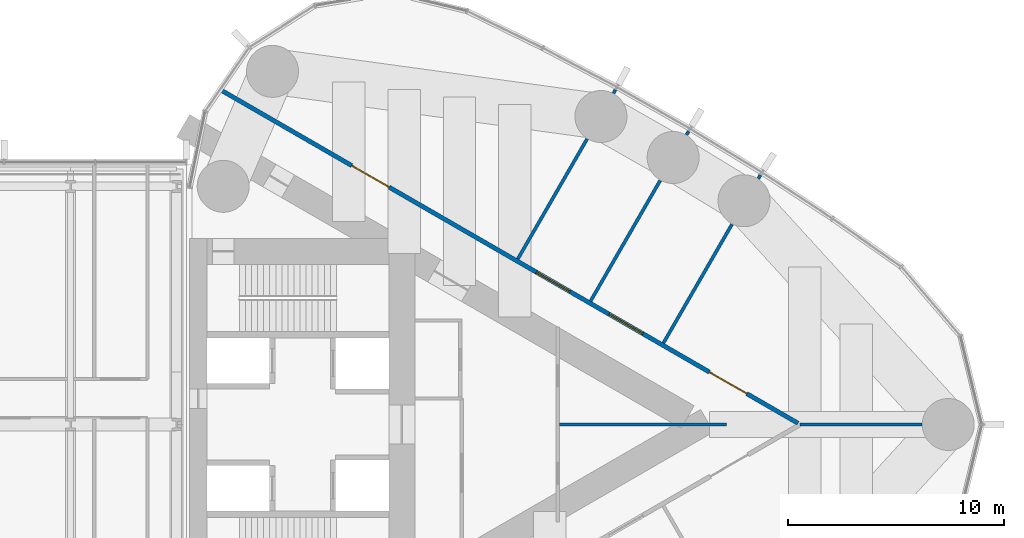
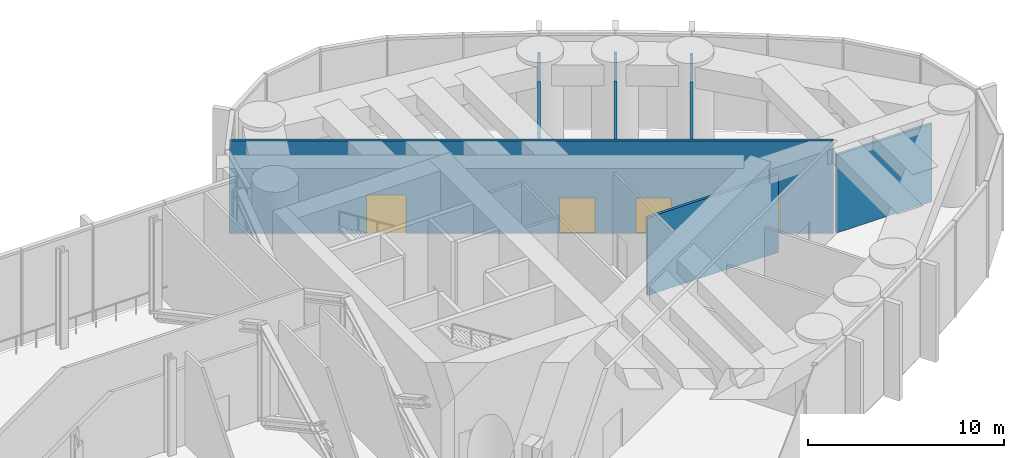
# One storey, part 19 of 21: 9 walls, 4 doors, 4 openings.
"""IFC4 building model written with IfcOpenShell, lengths in metres."""

from ifc_helpers import new_model, si_unit, direction, frame, frame_2d, origin, place, context, subcontext, project, spatial, rectangle, extrude, material, layer, layer_set, type_object, element, fill, save


model = new_model("IFC4")

# Units and contexts
model_context = context("Model", 3, precision=1e-05, world=origin(), true_north=direction((0.0, 1.0)))
body_context = subcontext(model_context, "Body", "Model", "MODEL_VIEW")
ifc_project = project(units=[si_unit("LENGTHUNIT", "METRE"), si_unit("AREAUNIT", "SQUARE_METRE"), si_unit("VOLUMEUNIT", "CUBIC_METRE"), si_unit("PLANEANGLEUNIT", "RADIAN"), si_unit("MASSUNIT", "GRAM", prefix="KILO")], contexts=[model_context])

# Site, building, storey
site_placement = place(None, origin())
site = spatial("IfcSite", under=ifc_project, at=site_placement, CompositionType="ELEMENT")
building_placement = place(site_placement, origin())
building = spatial("IfcBuilding", under=site, at=building_placement, Name="Lancet Gate Hotel", CompositionType="ELEMENT")
storey_placement = place(building_placement, frame((0.0, 0.0, 257.300048828125)))
storey = spatial("IfcBuildingStorey", under=building, at=storey_placement, Name="L68", CompositionType="ELEMENT", Elevation=257.300048828125)

# Wall, openings, doors
ifc_material_1 = material(Name="Gypsum board partition")
ifc_layer_1 = layer(ifc_material_1, 0.199951171875)
ifc_layer_set_1 = layer_set([ifc_layer_1], Name="Corridor wall 200")
wall_type_1 = type_object("IfcWallType", Name="Corridor wall 200", PredefinedType="PARTITIONING", material=ifc_layer_set_1)
wall_1_placement = place(storey_placement, frame((28.90673828125, 15.470458984375, 0.0), z_axis=(0.0, 0.0, 1.0), x_axis=(0.866025841386, -0.499999242051, 0.0)))
wall_1 = element("IfcWall", 1, at=wall_1_placement, inside=storey, type_object=wall_type_1, Name="T2 corridor wall 200 L68", PredefinedType="PARTITIONING", context=body_context, shape_type="SweptSolid", body=[
    extrude(rectangle(XDim=30.82080078125, YDim=0.199951171875, at=frame_2d((15.410400390625, 0.0))), origin(), (0.0, 0.0, 1.0), 5.75),
])
opening_1_placement = place(wall_1_placement, frame((26.09228515625, 0.0, 0.0)))
opening_1 = element("IfcOpeningElement", 2, at=opening_1_placement, cuts=wall_1, Name="Opening T2-L68-DO05", PredefinedType="OPENING", context=body_context, shape_type="SweptSolid", body=[
    extrude(rectangle(XDim=2.0, YDim=2.39990234375, at=frame_2d((1.0, 1.199951171875))), frame((0.0, 0.10986328125, 0.0), z_axis=(0.0, -1.0, 0.0), x_axis=(1.0, 0.0, 0.0)), (0.0, 0.0, 1.0), 0.219970703125),
])
opening_2_placement = place(wall_1_placement, frame((20.74755859375, 0.0, 0.0)))
opening_2 = element("IfcOpeningElement", 3, at=opening_2_placement, cuts=wall_1, Name="Opening T2-L68-DO06", PredefinedType="OPENING", context=body_context, shape_type="SweptSolid", body=[
    extrude(rectangle(XDim=1.800048828125, YDim=2.199951171875, at=frame_2d((0.89990234375, 1.10009765625))), frame((0.0, 0.10986328125, 0.0), z_axis=(0.0, -1.0, 0.0), x_axis=(1.0, 0.0, 0.0)), (0.0, 0.0, 1.0), 0.219970703125),
])
opening_3_placement = place(wall_1_placement, frame((16.864501953125, 0.0, 0.0)))
opening_3 = element("IfcOpeningElement", 4, at=opening_3_placement, cuts=wall_1, Name="Opening T2-L68-DO07", PredefinedType="OPENING", context=body_context, shape_type="SweptSolid", body=[
    extrude(rectangle(XDim=1.800048828125, YDim=2.199951171875, at=frame_2d((0.89990234375, 1.10009765625))), frame((0.0, 0.10986328125, 0.0), z_axis=(0.0, -1.0, 0.0), x_axis=(1.0, 0.0, 0.0)), (0.0, 0.0, 1.0), 0.219970703125),
])
opening_4_placement = place(wall_1_placement, frame((7.02392578125, 0.0, 0.0)))
opening_4 = element("IfcOpeningElement", 5, at=opening_4_placement, cuts=wall_1, Name="Opening T2-L68-DO08", PredefinedType="OPENING", context=body_context, shape_type="SweptSolid", body=[
    extrude(rectangle(XDim=2.0, YDim=2.39990234375, at=frame_2d((1.0, 1.199951171875))), frame((0.0, 0.10986328125, 0.0), z_axis=(0.0, -1.0, 0.0), x_axis=(1.0, 0.0, 0.0)), (0.0, 0.0, 1.0), 0.219970703125),
])
ifc_material_2 = material(Name="Timber door set", Category="wood")
door_type_1 = type_object("IfcDoorType", Name="Double door 1800", OperationType="DOUBLE_DOOR_SINGLE_SWING", PredefinedType="DOOR", material=ifc_material_2)
door_1_placement = place(opening_2_placement, origin())
door_1 = element("IfcDoor", 6, at=door_1_placement, inside=storey, type_object=door_type_1, Name="T2-L68-DO06", OperationType="DOUBLE_DOOR_SINGLE_SWING", OverallHeight=2.199951171875, OverallWidth=1.800048828125, PredefinedType="DOOR", context=body_context, shape_type="SweptSolid", body=[
    extrude(rectangle(XDim=1.800048828125, YDim=2.199951171875, at=frame_2d((0.89990234375, 1.10009765625))), frame((0.0, 0.02490234375, 0.0), z_axis=(0.0, -1.0, 0.0), x_axis=(1.0, 0.0, 0.0)), (0.0, 0.0, 1.0), 0.050048828125),
])
fill(opening_2, door_1)
door_2_placement = place(opening_3_placement, origin())
door_2 = element("IfcDoor", 7, at=door_2_placement, inside=storey, type_object=door_type_1, Name="T2-L68-DO07", OperationType="DOUBLE_DOOR_SINGLE_SWING", OverallHeight=2.199951171875, OverallWidth=1.800048828125, PredefinedType="DOOR", context=body_context, shape_type="SweptSolid", body=[
    extrude(rectangle(XDim=1.800048828125, YDim=2.199951171875, at=frame_2d((0.89990234375, 1.10009765625))), frame((0.0, 0.02490234375, 0.0), z_axis=(0.0, -1.0, 0.0), x_axis=(1.0, 0.0, 0.0)), (0.0, 0.0, 1.0), 0.050048828125),
])
fill(opening_3, door_2)
ifc_material_3 = material(Name="Timber door set", Category="wood")
door_type_2 = type_object("IfcDoorType", Name="Plant room double door 2000", OperationType="DOUBLE_DOOR_SINGLE_SWING", PredefinedType="DOOR", material=ifc_material_3)
door_3_placement = place(opening_1_placement, origin())
door_3 = element("IfcDoor", 8, at=door_3_placement, inside=storey, type_object=door_type_2, Name="T2-L68-DO05", OperationType="DOUBLE_DOOR_SINGLE_SWING", OverallHeight=2.39990234375, OverallWidth=2.0, PredefinedType="DOOR", context=body_context, shape_type="SweptSolid", body=[
    extrude(rectangle(XDim=2.0, YDim=2.39990234375, at=frame_2d((1.0, 1.199951171875))), frame((0.0, 0.02490234375, 0.0), z_axis=(0.0, -1.0, 0.0), x_axis=(1.0, 0.0, 0.0)), (0.0, 0.0, 1.0), 0.050048828125),
])
fill(opening_1, door_3)
door_4_placement = place(opening_4_placement, origin())
door_4 = element("IfcDoor", 9, at=door_4_placement, inside=storey, type_object=door_type_2, Name="T2-L68-DO08", OperationType="DOUBLE_DOOR_SINGLE_SWING", OverallHeight=2.39990234375, OverallWidth=2.0, PredefinedType="DOOR", context=body_context, shape_type="SweptSolid", body=[
    extrude(rectangle(XDim=2.0, YDim=2.39990234375, at=frame_2d((1.0, 1.199951171875))), frame((0.0, 0.02490234375, 0.0), z_axis=(0.0, -1.0, 0.0), x_axis=(1.0, 0.0, 0.0)), (0.0, 0.0, 1.0), 0.050048828125),
])
fill(opening_4, door_4)

# Walls
ifc_material_4 = material(Name="Gypsum board partition")
ifc_layer_2 = layer(ifc_material_4, 0.14990234375)
ifc_layer_set_2 = layer_set([ifc_layer_2], Name="Party wall 150")
wall_type_2 = type_object("IfcWallType", Name="Party wall 150", PredefinedType="PARTITIONING", material=ifc_layer_set_2)
wall_2_placement = place(storey_placement, frame((42.65966796875, 7.6455078125, 0.0), z_axis=(0.0, 0.0, 1.0), x_axis=(0.499996592859, 0.866027370889, 0.0)))
element("IfcWall", 10, at=wall_2_placement, inside=storey, type_object=wall_type_2, Name="T2 party wall 150 L68", PredefinedType="PARTITIONING", context=body_context, shape_type="SweptSolid", body=[
    extrude(rectangle(XDim=6.3984375, YDim=0.14990234375, at=frame_2d((3.19921875, 0.0))), origin(), (0.0, 0.0, 1.0), 4.849853515625),
])
wall_3_placement = place(storey_placement, frame((47.078857421875, 15.2998046875, 0.0), z_axis=(0.0, 0.0, 1.0), x_axis=(0.499212083968, 0.866479829667, 0.0)))
element("IfcWall", 11, at=wall_3_placement, inside=storey, type_object=wall_type_2, Name="T2 party wall 150 L68", PredefinedType="PARTITIONING", context=body_context, shape_type="SweptSolid", body=[
    extrude(rectangle(XDim=0.179443359375, YDim=0.14990234375, at=frame_2d((0.08984375, 0.0))), origin(), (0.0, 0.0, 1.0), 4.849853515625),
])
wall_4_placement = place(storey_placement, frame((46.02294921875, 5.703857421875, 0.0), z_axis=(0.0, 0.0, 1.0), x_axis=(0.499984478165, 0.866034365135, 0.0)))
element("IfcWall", 12, at=wall_4_placement, inside=storey, type_object=wall_type_2, Name="T2 party wall 150 L68", PredefinedType="PARTITIONING", context=body_context, shape_type="SweptSolid", body=[
    extrude(rectangle(XDim=6.425537109375, YDim=0.14990234375, at=frame_2d((3.212890625, 0.0))), origin(), (0.0, 0.0, 1.0), 4.849853515625),
])
wall_5_placement = place(storey_placement, frame((50.45556640625, 13.381591796875, 0.0), z_axis=(0.0, 0.0, 1.0), x_axis=(0.500661834965, 0.865642955848, 0.0)))
element("IfcWall", 13, at=wall_5_placement, inside=storey, type_object=wall_type_2, Name="T2 party wall 150 L68", PredefinedType="PARTITIONING", context=body_context, shape_type="SweptSolid", body=[
    extrude(rectangle(XDim=0.179931640625, YDim=0.14990234375, at=frame_2d((0.08984375, 0.0))), origin(), (0.0, 0.0, 1.0), 4.849853515625),
])
wall_6_placement = place(storey_placement, frame((49.38525390625, 3.7626953125, 0.0), z_axis=(0.0, 0.0, 1.0), x_axis=(0.499999447814, 0.866025722589, 0.0)))
element("IfcWall", 14, at=wall_6_placement, inside=storey, type_object=wall_type_2, Name="T2 party wall 150 L68", PredefinedType="PARTITIONING", context=body_context, shape_type="SweptSolid", body=[
    extrude(rectangle(XDim=6.33251953125, YDim=0.14990234375, at=frame_2d((3.166259765625, 0.0))), origin(), (0.0, 0.0, 1.0), 4.849853515625),
])
wall_7_placement = place(storey_placement, frame((53.771484375, 11.35986328125, 0.0), z_axis=(0.0, 0.0, 1.0), x_axis=(0.499524978789, 0.866299483762, 0.0)))
element("IfcWall", 15, at=wall_7_placement, inside=storey, type_object=wall_type_2, Name="T2 party wall 150 L68", PredefinedType="PARTITIONING", context=body_context, shape_type="SweptSolid", body=[
    extrude(rectangle(XDim=0.178466796875, YDim=0.14990234375, at=frame_2d((0.08935546875, 0.0))), origin(), (0.0, 0.0, 1.0), 4.849853515625),
])
wall_8_placement = place(storey_placement, frame((55.7021484375, 0.0, 0.0), z_axis=(0.0, 0.0, 1.0), x_axis=(1.0, 0.0, 0.0)))
element("IfcWall", 16, at=wall_8_placement, inside=storey, type_object=wall_type_2, Name="T2 party wall 150 L68", PredefinedType="PARTITIONING", context=body_context, shape_type="SweptSolid", body=[
    extrude(rectangle(XDim=5.619384765625, YDim=0.14990234375, at=frame_2d((2.8095703125, 0.0))), origin(), (0.0, 0.0, 1.0), 4.849853515625),
])
ifc_material_5 = material(Name="Gypsum board partition")
ifc_layer_3 = layer(ifc_material_5, 0.14990234375)
ifc_layer_set_3 = layer_set([ifc_layer_3], Name="Service room wall 150")
wall_type_3 = type_object("IfcWallType", Name="Service room wall 150", PredefinedType="PARTITIONING", material=ifc_layer_set_3)
wall_9_placement = place(storey_placement, frame((44.574951171875, 0.0, 0.0), z_axis=(0.0, 0.0, 1.0), x_axis=(1.0, 0.0, 0.0)))
element("IfcWall", 17, at=wall_9_placement, inside=storey, type_object=wall_type_3, Name="T2 service room wall 150 L68", PredefinedType="PARTITIONING", context=body_context, shape_type="SweptSolid", body=[
    extrude(rectangle(XDim=7.727294921875, YDim=0.14990234375, at=frame_2d((3.86376953125, 0.0))), origin(), (0.0, 0.0, 1.0), 4.849853515625),
])

save(model, "model.ifc")
